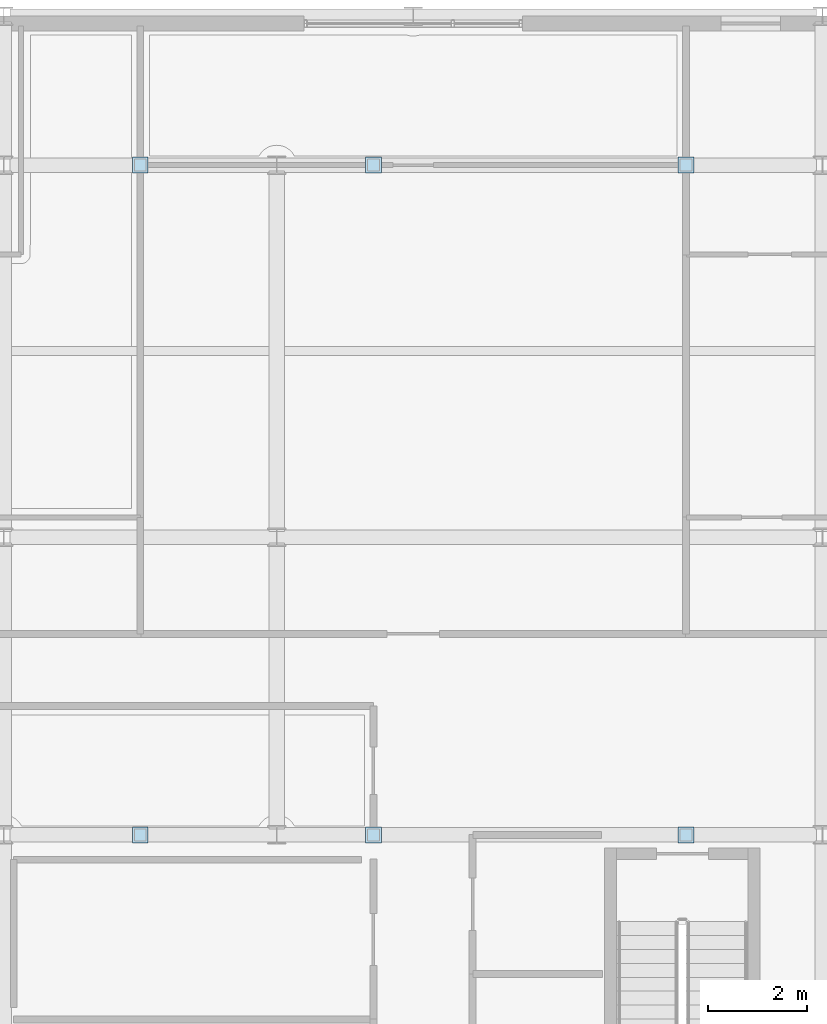
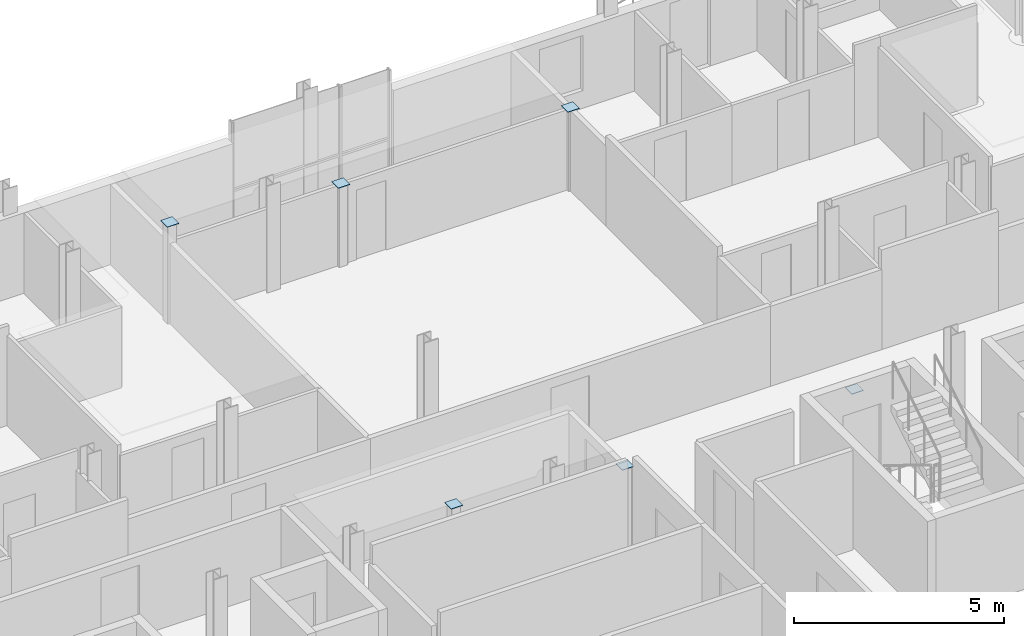
# One storey, part 24 of 35: 6 plates.
"""IFC4 building model written with IfcOpenShell, lengths in metres."""

from ifc_helpers import new_model, si_unit, direction, frame, origin, origin_2d, place, context, subcontext, project, spatial, rectangle, extrude, material, layer, layer_set, type_object, element, save


model = new_model("IFC4")

# Units and contexts
model_context = context("Model", 3, precision=1e-05, world=origin(), true_north=direction((0.0, 1.0)))
body_context = subcontext(model_context, "Body", "Model", "MODEL_VIEW")
ifc_project = project(units=[si_unit("LENGTHUNIT", "METRE"), si_unit("AREAUNIT", "SQUARE_METRE"), si_unit("VOLUMEUNIT", "CUBIC_METRE"), si_unit("PLANEANGLEUNIT", "RADIAN"), si_unit("MASSUNIT", "GRAM", prefix="KILO")], contexts=[model_context])

# Site, building, storey
site_placement = place(None, origin())
site = spatial("IfcSite", under=ifc_project, at=site_placement, CompositionType="ELEMENT")
building_placement = place(site_placement, origin())
building = spatial("IfcBuilding", under=site, at=building_placement, Name="Brevholm Reach", CompositionType="ELEMENT")
storey_placement = place(building_placement, frame((0.0, 0.0, 218.0)))
storey = spatial("IfcBuildingStorey", under=building, at=storey_placement, Name="L66", CompositionType="ELEMENT", Elevation=218.0)

# Plates
ifc_material = material(Name="Structural Steel S460NH", Category="steel")
ifc_layer = layer(ifc_material, 0.013916015625)
ifc_layer_set = layer_set([ifc_layer], Name="Structural Steel S460NH")
plate_type = type_object("IfcPlateType", Name="PLT-CAP-14", PredefinedType="USERDEFINED", material=ifc_layer_set)
for number, where, z_axis, x_axis, name in (
    (1, (24.5, 10.0, 2.84326171875), (0.0, 0.0, 1.0), (1.0, 0.0, 0.0), "L66 Portal Vierendeel Post Cap Plate 1-10"),
    (2, (24.5, 23.5, 2.84326171875), (0.0, 0.0, 1.0), (1.0, 0.0, 0.0), "L66 Portal Vierendeel Post Cap Plate 1-23"),
    (3, (29.199951171875, 10.0, 2.32861328125), (0.0, 0.0, 1.0), (1.0, 0.0, 0.0), "L66 Portal Vierendeel Post Cap Plate 2-10"),
    (4, (29.199951171875, 23.5, 2.32861328125), (0.0, 0.0, 1.0), (1.0, 0.0, 0.0), "L66 Portal Vierendeel Post Cap Plate 2-23"),
    (5, (35.5, 10.0, 2.32861328125), (0.0, 0.0, 1.0), (1.0, 0.0, 0.0), "L66 Portal Vierendeel Post Cap Plate 3-10"),
    (6, (35.5, 23.5, 2.32861328125), (0.0, 0.0, 1.0), (1.0, 0.0, 0.0), "L66 Portal Vierendeel Post Cap Plate 3-23"),
):
    element("IfcPlate", number, at=place(storey_placement, frame(where, z_axis=z_axis, x_axis=x_axis)), inside=storey, type_object=plate_type, Name=name, ObjectType="STIFFENER_PLATE", PredefinedType="USERDEFINED", context=body_context, shape_type="SweptSolid", body=[
        extrude(rectangle(XDim=0.320068359375, YDim=0.320068359375, at=origin_2d()), origin(), (0.0, 0.0, 1.0), 0.013916015625),
    ])

save(model, "model.ifc")
